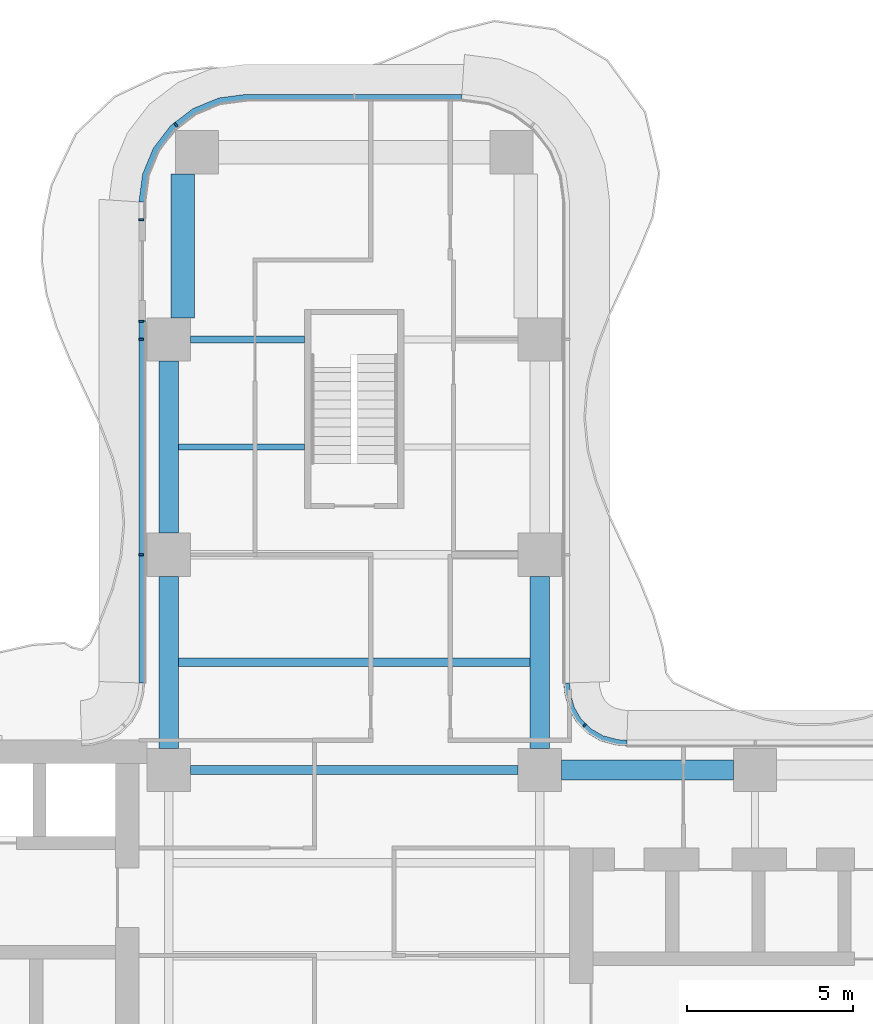
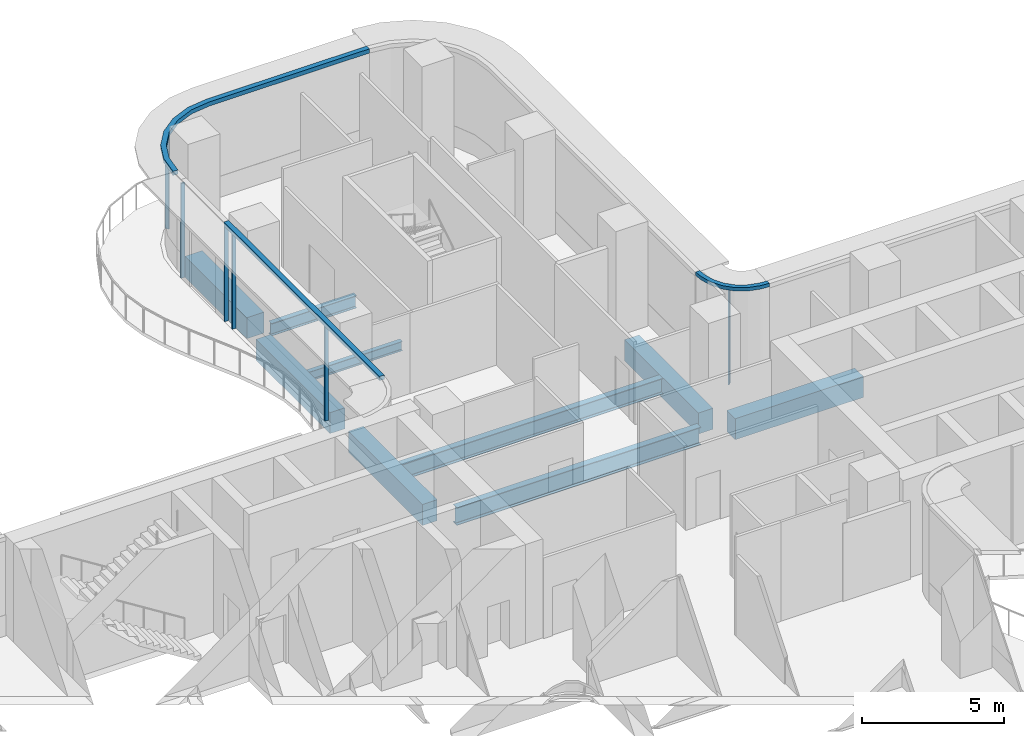
# One storey, part 9 of 22: 9 beams, 9 members, 4 elements without a shape of their own.
"""IFC4 building model written with IfcOpenShell, lengths in metres."""

from ifc_helpers import new_model, si_unit, direction, frame, origin, origin_2d, place, context, subcontext, project, spatial, polyline, rectangle, i_section, outline, extrude, source, transform, mapped, material, layer, layer_set, material_profile, profile_set, type_object, element, aggregate, save


model = new_model("IFC4")

# Units and contexts
model_context = context("Model", 3, precision=1e-05, world=origin(), true_north=direction((0.0, 1.0)))
body_context = subcontext(model_context, "Body", "Model", "MODEL_VIEW")
ifc_project = project(units=[si_unit("LENGTHUNIT", "METRE"), si_unit("AREAUNIT", "SQUARE_METRE"), si_unit("VOLUMEUNIT", "CUBIC_METRE"), si_unit("PLANEANGLEUNIT", "RADIAN"), si_unit("MASSUNIT", "GRAM", prefix="KILO")], contexts=[model_context])

# Site, building, storey
site_placement = place(None, origin())
site = spatial("IfcSite", under=ifc_project, at=site_placement, CompositionType="ELEMENT")
building_placement = place(site_placement, origin())
building = spatial("IfcBuilding", under=site, at=building_placement, Name="Trellis Farm Tower", CompositionType="ELEMENT")
storey_placement = place(building_placement, frame((0.0, 0.0, 124.5)))
storey = spatial("IfcBuildingStorey", under=building, at=storey_placement, Name="L26", CompositionType="ELEMENT", Elevation=124.5)

# Beams
ifc_material_1 = material(Name="Steel S355", Category="steel")
ifc_material_profile_1 = material_profile(ifc_material_1, i_section(OverallWidth=0.177978515625, OverallDepth=0.406494140625, WebThickness=0.0078125, FlangeThickness=0.0126953125, FilletRadius=0.01025390625, at=origin_2d()), Name="UB 406x178x60")
ifc_profile_set_1 = profile_set([ifc_material_profile_1], Name="Steel S355")
beam_type_1 = type_object("IfcBeamType", Name="UB 406x178x60 joist", PredefinedType="JOIST", material=ifc_profile_set_1)
shared_shape_1 = source(origin(), body_context, "Body", "SweptSolid", [
    extrude(i_section(OverallWidth=0.177978515625, OverallDepth=0.406494140625, WebThickness=0.0078125, FlangeThickness=0.0126953125, FilletRadius=0.01025390625, at=origin_2d()), origin(), (0.0, 0.0, 1.0), 3.800048828125),
])
beam_1_placement = place(storey_placement, frame((-5.300048828125, 15.35009765625, -0.453125), z_axis=(1.0, 0.0, 0.0), x_axis=(0.0, 1.0, 0.0)))
element("IfcBeam", 1, at=beam_1_placement, inside=storey, type_object=beam_type_1, Name="Floor beam", PredefinedType="JOIST", context=body_context, shape_type="MappedRepresentation", body=[
    mapped(shared_shape_1, transform((0.0, 0.0, 0.0))),
])
ifc_material_profile_2 = material_profile(ifc_material_1, i_section(OverallWidth=0.253662109375, OverallDepth=0.68359375, WebThickness=0.012451171875, FlangeThickness=0.021728515625, FilletRadius=0.01513671875, at=origin_2d()), Name="UB 686x254x140")
ifc_profile_set_2 = profile_set([ifc_material_profile_2], Name="Steel S355")
beam_type_2 = type_object("IfcBeamType", Name="UB 686x254x140 joist", PredefinedType="JOIST", material=ifc_profile_set_2)
shared_shape_2 = source(origin(), body_context, "Body", "SweptSolid", [
    extrude(i_section(OverallWidth=0.253662109375, OverallDepth=0.68359375, WebThickness=0.012451171875, FlangeThickness=0.021728515625, FilletRadius=0.01513671875, at=origin_2d()), origin(), (0.0, 0.0, 1.0), 10.60009765625),
])
beam_2_placement = place(storey_placement, frame((-5.300048828125, 8.85009765625, -0.591796875), z_axis=(1.0, 0.0, 0.0), x_axis=(0.0, 1.0, 0.0)))
element("IfcBeam", 2, at=beam_2_placement, inside=storey, type_object=beam_type_2, Name="Floor beam", PredefinedType="JOIST", context=body_context, shape_type="MappedRepresentation", body=[
    mapped(shared_shape_2, transform((0.0, 0.0, 0.0))),
])
ifc_material_profile_3 = material_profile(ifc_material_1, i_section(OverallWidth=0.209228515625, OverallDepth=0.533203125, WebThickness=0.010009765625, FlangeThickness=0.015625, FilletRadius=0.0126953125, at=origin_2d()), Name="UB 533x210x92")
ifc_profile_set_3 = profile_set([ifc_material_profile_3], Name="Steel S355")
beam_type_3 = type_object("IfcBeamType", Name="UB 533x210x92", PredefinedType="BEAM", material=ifc_profile_set_3)
shared_shape_3 = source(origin(), body_context, "Body", "SweptSolid", [
    extrude(i_section(OverallWidth=0.209228515625, OverallDepth=0.533203125, WebThickness=0.010009765625, FlangeThickness=0.015625, FilletRadius=0.0126953125, at=origin_2d()), origin(), (0.0, 0.0, 1.0), 3.449951171875),
])
beam_3_placement = place(storey_placement, frame((-4.949951171875, 18.60009765625, -0.5166015625), z_axis=(1.0, 0.0, 0.0), x_axis=(0.0, 1.0, 0.0)))
element("IfcBeam", 3, at=beam_3_placement, inside=storey, type_object=beam_type_3, Name="Girder", PredefinedType="BEAM", context=body_context, shape_type="MappedRepresentation", body=[
    mapped(shared_shape_3, transform((0.0, 0.0, 0.0))),
])
ifc_material_profile_4 = material_profile(ifc_material_1, i_section(OverallWidth=0.2666015625, OverallDepth=0.76220703125, WebThickness=0.014404296875, FlangeThickness=0.021484375, FilletRadius=0.0166015625, at=origin_2d()), Name="UB 762x267x173")
ifc_profile_set_4 = profile_set([ifc_material_profile_4], Name="Steel S355")
beam_type_4 = type_object("IfcBeamType", Name="UB 762x267x173", PredefinedType="BEAM", material=ifc_profile_set_4)
shared_shape_4 = source(origin(), body_context, "Body", "SweptSolid", [
    extrude(i_section(OverallWidth=0.2666015625, OverallDepth=0.76220703125, WebThickness=0.014404296875, FlangeThickness=0.021484375, FilletRadius=0.0166015625, at=origin_2d()), origin(), (0.0, 0.0, 1.0), 9.89990234375),
])
beam_4_placement = place(storey_placement, frame((-4.949951171875, 5.60009765625, -0.631103515625), z_axis=(1.0, 0.0, 0.0), x_axis=(0.0, 1.0, 0.0)))
element("IfcBeam", 4, at=beam_4_placement, inside=storey, type_object=beam_type_4, Name="Girder", PredefinedType="BEAM", context=body_context, shape_type="MappedRepresentation", body=[
    mapped(shared_shape_4, transform((0.0, 0.0, 0.0))),
])
ifc_material_2 = material(Name="Concrete C60/75", Category="concrete")
ifc_material_profile_5 = material_profile(ifc_material_2, rectangle(XDim=0.60009765625, YDim=0.89990234375, at=origin_2d()), Name="RC spandrel beam 600x900 C60/75")
ifc_profile_set_5 = profile_set([ifc_material_profile_5], Name="Concrete C60/75")
beam_type_5 = type_object("IfcBeamType", Name="RC spandrel beam 600x900 C60/75", PredefinedType="SPANDREL", material=ifc_profile_set_5)
shared_shape_5 = source(origin(), body_context, "Body", "SweptSolid", [
    extrude(rectangle(XDim=0.60009765625, YDim=0.89990234375, at=origin_2d()), origin(), (0.0, 0.0, 1.0), 5.199951171875),
])
for number, where, z_axis, x_axis, name in (
    (5, (6.25, 5.60009765625, -0.699951171875), (1.0, 0.0, 0.0), (0.0, 1.0, 0.0), "Girder"),
    (6, (-5.60009765625, 6.25, -0.699951171875), (0.0, 1.0, 0.0), (-1.0, 0.0, 0.0), "Girder"),
    (7, (-5.60009765625, 12.75, -0.699951171875), (0.0, 1.0, 0.0), (-1.0, 0.0, 0.0), "Girder"),
    (8, (5.60009765625, 6.25, -0.699951171875), (0.0, 1.0, 0.0), (-1.0, 0.0, 0.0), "Girder"),
):
    element("IfcBeam", number, at=place(storey_placement, frame(where, z_axis=z_axis, x_axis=x_axis)), inside=storey, type_object=beam_type_5, Name=name, PredefinedType="SPANDREL", context=body_context, shape_type="MappedRepresentation", body=[
        mapped(shared_shape_5, transform((0.0, 0.0, 0.0))),
    ])
ifc_material_profile_6 = material_profile(ifc_material_2, rectangle(XDim=0.699951171875, YDim=0.89990234375, at=origin_2d()), Name="RC spandrel beam 700x900 C60/75")
ifc_profile_set_6 = profile_set([ifc_material_profile_6], Name="Concrete C60/75")
beam_type_6 = type_object("IfcBeamType", Name="RC spandrel beam 700x900 C60/75", PredefinedType="SPANDREL", material=ifc_profile_set_6)
shared_shape_6 = source(origin(), body_context, "Body", "SweptSolid", [
    extrude(rectangle(XDim=0.699951171875, YDim=0.89990234375, at=origin_2d()), origin(), (0.0, 0.0, 1.0), 4.35009765625),
])
beam_5_placement = place(storey_placement, frame((-5.175048828125, 19.25, -0.699951171875), z_axis=(0.0, 1.0, 0.0), x_axis=(-1.0, 0.0, 0.0)))
element("IfcBeam", 9, at=beam_5_placement, inside=storey, type_object=beam_type_6, Name="Girder", PredefinedType="SPANDREL", context=body_context, shape_type="MappedRepresentation", body=[
    mapped(shared_shape_6, transform((0.0, 0.0, 0.0))),
])

# Curtain wall, member
ifc_material_3 = material(Name="Aluminium and glass curtain wall", Category="aluminium")
ifc_layer_1 = layer(ifc_material_3, 0.18994140625)
ifc_layer_set_1 = layer_set([ifc_layer_1], Name="RIBBON CURTAIN WALL CW1")
curtain_wall_type_1 = type_object("IfcCurtainWallType", Name="RIBBON CURTAIN WALL CW1", PredefinedType="NOTDEFINED", material=ifc_layer_set_1)
placement_1 = place(storey_placement, origin())
curtain_wall_1 = element("IfcCurtainWall", 10, at=placement_1, inside=storey, type_object=curtain_wall_type_1, Name="CW1 010", PredefinedType="NOTDEFINED")
ifc_material_4 = material(Name="Aluminium extrusion 6063-T6", Category="aluminium")
ifc_material_profile_7 = material_profile(ifc_material_4, rectangle(XDim=0.06005859375, YDim=0.14990234375, at=origin_2d()), Name="MULLION 60x150")
ifc_profile_set_7 = profile_set([ifc_material_profile_7], Name="Aluminium extrusion 6063-T6")
member_type_1 = type_object("IfcMemberType", Name="CW1 MULLION 60x150", PredefinedType="MULLION", material=ifc_profile_set_7)
shared_shape_7 = source(origin(), body_context, "Body", "SweptSolid", [
    extrude(rectangle(XDim=0.06005859375, YDim=0.14990234375, at=origin_2d()), origin(), (0.0, 0.0, 1.0), 4.070068359375),
])
member_1_placement = place(storey_placement, frame((-5.385498046875, 25.078369140625, 0.0), z_axis=(0.0, 0.0, 1.0), x_axis=(-0.793353340291, -0.608761429009, 0.0)))
member_1 = element("IfcMember", 11, at=member_1_placement, type_object=member_type_1, Name="MU1 010-02", PredefinedType="MULLION", context=body_context, shape_type="MappedRepresentation", body=[
    mapped(shared_shape_7, transform((0.0, 0.0, 0.0))),
])

curtain_wall_2 = element("IfcCurtainWall", 12, at=placement_1, inside=storey, type_object=curtain_wall_type_1, Name="CW1 011", PredefinedType="NOTDEFINED")
member_2_placement = place(storey_placement, frame((-6.425048828125, 22.205078125, 0.0), z_axis=(0.0, 0.0, 1.0), x_axis=(0.0, -1.0, 0.0)))
member_2 = element("IfcMember", 13, at=member_2_placement, type_object=member_type_1, Name="MU1 011-01", PredefinedType="MULLION", context=body_context, shape_type="MappedRepresentation", body=[
    mapped(shared_shape_7, transform((0.0, 0.0, 0.0))),
])
aggregate(curtain_wall_2, [member_2])

# Curtain wall, members
curtain_wall_3 = element("IfcCurtainWall", 14, at=placement_1, inside=storey, type_object=curtain_wall_type_1, Name="CW1 012", PredefinedType="NOTDEFINED")
member_3_placement = place(storey_placement, frame((-6.425048828125, 19.14501953125, 0.0), z_axis=(0.0, 0.0, 1.0), x_axis=(0.0, -1.0, 0.0)))
member_3 = element("IfcMember", 15, at=member_3_placement, type_object=member_type_1, Name="MU1 012-01", PredefinedType="MULLION", context=body_context, shape_type="MappedRepresentation", body=[
    mapped(shared_shape_7, transform((0.0, 0.0, 0.0))),
])
member_4_placement = place(storey_placement, frame((-6.425048828125, 18.60009765625, 0.0), z_axis=(0.0, 0.0, 1.0), x_axis=(0.0, -1.0, 0.0)))
member_4 = element("IfcMember", 16, at=member_4_placement, type_object=member_type_1, Name="MU1 012-02", PredefinedType="MULLION", context=body_context, shape_type="MappedRepresentation", body=[
    mapped(shared_shape_7, transform((0.0, 0.0, 0.0))),
])
member_5_placement = place(storey_placement, frame((-6.425048828125, 12.10009765625, 0.0), z_axis=(0.0, 0.0, 1.0), x_axis=(0.0, -1.0, 0.0)))
member_5 = element("IfcMember", 17, at=member_5_placement, type_object=member_type_1, Name="MU1 012-03", PredefinedType="MULLION", context=body_context, shape_type="MappedRepresentation", body=[
    mapped(shared_shape_7, transform((0.0, 0.0, 0.0))),
])

ifc_layer_2 = layer(ifc_material_3, 0.166015625)
ifc_layer_set_2 = layer_set([ifc_layer_2], Name="WINTER GARDEN CURTAIN WALL CW3")
curtain_wall_type_2 = type_object("IfcCurtainWallType", Name="WINTER GARDEN CURTAIN WALL CW3", PredefinedType="NOTDEFINED", material=ifc_layer_set_2)
curtain_wall_4 = element("IfcCurtainWall", 18, at=placement_1, inside=storey, type_object=curtain_wall_type_2, Name="CW3 003", PredefinedType="NOTDEFINED")
ifc_material_profile_8 = material_profile(ifc_material_4, rectangle(XDim=0.050048828125, YDim=0.1201171875, at=origin_2d()), Name="MULLION 50x120")
ifc_profile_set_8 = profile_set([ifc_material_profile_8], Name="Aluminium extrusion 6063-T6")
member_type_2 = type_object("IfcMemberType", Name="CW3 MULLION 50x120", PredefinedType="MULLION", material=ifc_profile_set_8)
shared_shape_8 = source(origin(), body_context, "Body", "SweptSolid", [
    extrude(rectangle(XDim=0.050048828125, YDim=0.1201171875, at=origin_2d()), origin(), (0.0, 0.0, 1.0), 4.10009765625),
])
member_6_placement = place(storey_placement, frame((6.953125, 6.953125, 0.0), z_axis=(0.0, 0.0, 1.0), x_axis=(-0.707106781187, 0.707106781187, 0.0)))
member_6 = element("IfcMember", 19, at=member_6_placement, type_object=member_type_2, Name="MU3 003-01", PredefinedType="MULLION", context=body_context, shape_type="MappedRepresentation", body=[
    mapped(shared_shape_8, transform((0.0, 0.0, 0.0))),
])
ifc_layer_3 = layer(ifc_material_4, 0.169921875)
ifc_layer_set_3 = layer_set([ifc_layer_3], Name="Aluminium extrusion 6063-T6")
member_type_3 = type_object("IfcMemberType", Name="CW3 TRANSOM 170x150", PredefinedType="USERDEFINED", material=ifc_layer_set_3)
shared_shape_9 = source(origin(), body_context, "Body", "SweptSolid", [
    extrude(outline(polyline([(8.2314453125, 6.5), (8.01953125, 6.513916015625), (7.91552734375, 6.527587890625), (7.508544921875, 6.63671875), (7.144287109375, 6.846923828125), (6.846923828125, 7.144287109375), (6.63671875, 7.508544921875), (6.527587890625, 7.91552734375), (6.513916015625, 8.01953125), (6.5, 8.2314453125), (6.330078125, 8.225830078125), (6.3447265625, 8.0029296875), (6.360595703125, 7.88232421875), (6.478271484375, 7.44287109375), (6.7109375, 7.0400390625), (7.0400390625, 6.7109375), (7.44287109375, 6.478271484375), (7.88232421875, 6.360595703125), (8.0029296875, 6.3447265625), (8.225830078125, 6.330078125), (8.2314453125, 6.5)])), origin(), (0.0, 0.0, 1.0), 0.14990234375),
])
member_7_placement = place(storey_placement, frame((0.0, 0.0, 4.10009765625)))
member_7 = element("IfcMember", 20, at=member_7_placement, type_object=member_type_3, Name="TR3 003", ObjectType="TRANSOM", PredefinedType="USERDEFINED", context=body_context, shape_type="MappedRepresentation", body=[
    mapped(shared_shape_9, transform((0.0, 0.0, 0.0))),
])
aggregate(curtain_wall_4, [member_6, member_7])

# Member
ifc_layer_4 = layer(ifc_material_4, 0.199951171875)
ifc_layer_set_4 = layer_set([ifc_layer_4], Name="Aluminium extrusion 6063-T6")
member_type_4 = type_object("IfcMemberType", Name="CW1 TRANSOM 200x180", PredefinedType="USERDEFINED", material=ifc_layer_set_4)
shared_shape_10 = source(origin(), body_context, "Body", "SweptSolid", [
    extrude(outline(polyline([(3.25, 26.0), (-3.25, 26.0), (-4.091064453125, 25.88916015625), (-4.875, 25.564697265625), (-5.548095703125, 25.048095703125), (-6.064697265625, 24.375), (-6.38916015625, 23.591064453125), (-6.5, 22.75), (-6.300048828125, 22.73681640625), (-6.1943359375, 23.5390625), (-5.889892578125, 24.274169921875), (-5.405517578125, 24.905517578125), (-4.774169921875, 25.389892578125), (-4.0390625, 25.6943359375), (-3.23681640625, 25.800048828125), (3.23681640625, 25.800048828125), (3.25, 26.0)])), origin(), (0.0, 0.0, 1.0), 0.179931640625),
])
placement_2 = place(storey_placement, frame((0.0, 0.0, 4.070068359375)))
member_8 = element("IfcMember", 21, at=placement_2, type_object=member_type_4, Name="TR1 010", ObjectType="TRANSOM", PredefinedType="USERDEFINED", context=body_context, shape_type="MappedRepresentation", body=[
    mapped(shared_shape_10, transform((0.0, 0.0, 0.0))),
])

aggregate(curtain_wall_1, [member_1, member_8])

shared_shape_11 = source(origin(), body_context, "Body", "SweptSolid", [
    extrude(outline(polyline([(-6.5, 19.175048828125), (-6.5, 8.2314453125), (-6.300048828125, 8.224853515625), (-6.300048828125, 19.175048828125), (-6.5, 19.175048828125)])), origin(), (0.0, 0.0, 1.0), 0.179931640625),
])
member_9 = element("IfcMember", 22, at=placement_2, type_object=member_type_4, Name="TR1 012", ObjectType="TRANSOM", PredefinedType="USERDEFINED", context=body_context, shape_type="MappedRepresentation", body=[
    mapped(shared_shape_11, transform((0.0, 0.0, 0.0))),
])

aggregate(curtain_wall_3, [member_3, member_4, member_5, member_9])

save(model, "model.ifc")
